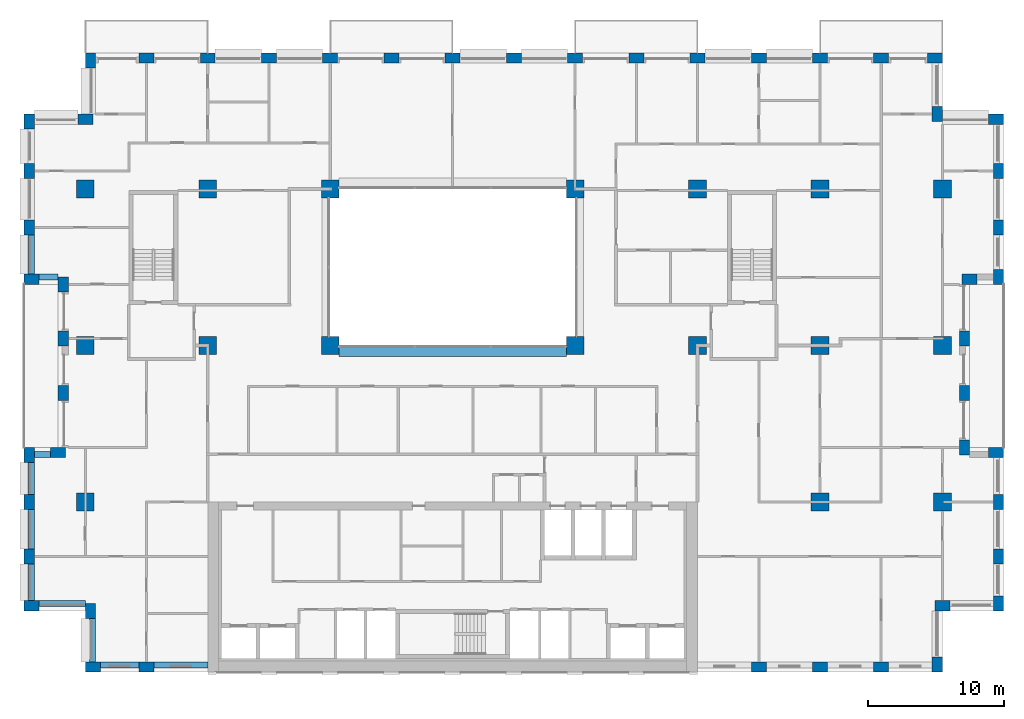
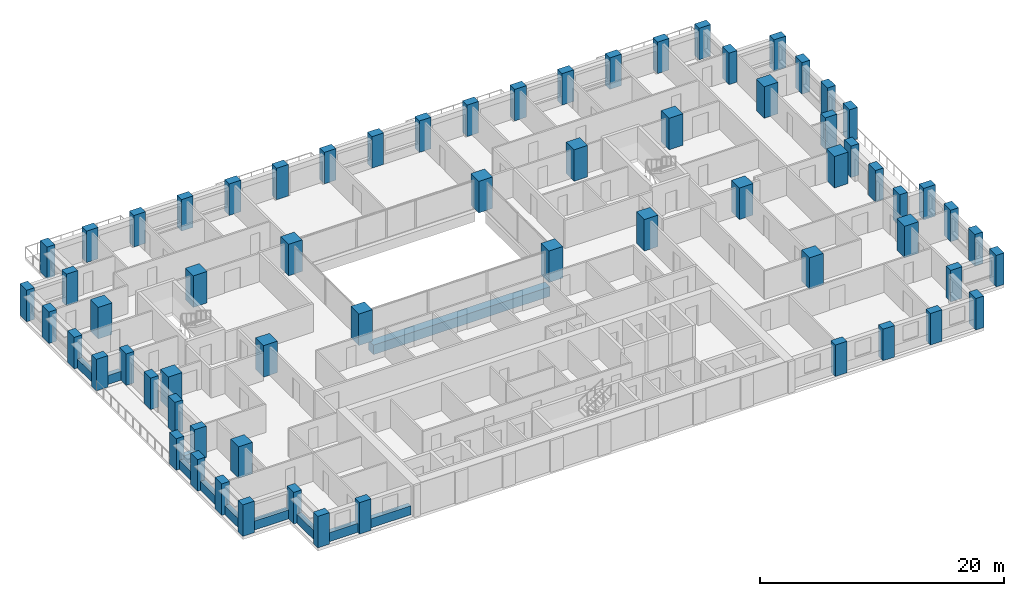
# One storey, part 1 of 16: 66 columns, 11 beams.
"""IFC4 building model written with IfcOpenShell, lengths in metres."""

import ifcopenshell
import ifcopenshell.guid

model = None  # the IFC model being written
_history = None  # IfcOwnerHistory: only IFC2X3 demands one
_inside = {}  # id of a spatial element -> (the spatial element, [elements in it])
_under = {}  # id of a project, library or spatial element -> (it, [spatial elements below it])
_declared = {}  # id of a project -> (the project, [libraries it declares])
_typed = {}  # id of a type object -> (the type object, [elements of that type])
_made_of = {}  # id of a material, layer set ... -> (it, [elements and type objects made of it])


def new_model(schema):
    """Start an empty IFC model of exactly this schema.

    Asked for "IFC4X3", IfcOpenShell would pick the latest addendum, in which some entities
    have other attributes; the version numbers below select the first issue.
    IFC2X3 requires an IfcOwnerHistory on every rooted entity: one is made here for all.
    """
    global model, _history
    if schema == "IFC4X3":
        model = ifcopenshell.file(schema_version=(4, 3, 0, 0))
    else:
        model = ifcopenshell.file(schema=schema)
    _inside.clear()
    _under.clear()
    _declared.clear()
    _typed.clear()
    _made_of.clear()
    _history = None
    if model.schema == "IFC2X3":
        org = make("IfcOrganization", Name="unknown")
        user = make(
            "IfcPersonAndOrganization",
            ThePerson=make("IfcPerson", FamilyName="unknown"),
            TheOrganization=org,
        )
        app = make(
            "IfcApplication",
            ApplicationDeveloper=org,
            Version="unknown",
            ApplicationFullName="unknown",
            ApplicationIdentifier="unknown",
        )
        _history = make(
            "IfcOwnerHistory",
            OwningUser=user,
            OwningApplication=app,
            ChangeAction="ADDED",
            CreationDate=0,
        )
    return model


def make(cls, **values):
    """One entity of the class cls with the attributes given. An attribute that is None is left unset."""
    return model.create_entity(
        cls, **{name: value for name, value in values.items() if value is not None}
    )


def rooted(cls, **values):
    """An entity with a GlobalId (a new one), such as an element, a storey or a relation."""
    return make(cls, GlobalId=ifcopenshell.guid.new(), OwnerHistory=_history, **values)


def si_unit(unit_type, name, prefix=None):
    """IfcSIUnit, for example si_unit("LENGTHUNIT", "METRE", prefix="MILLI")."""
    return make("IfcSIUnit", UnitType=unit_type, Prefix=prefix, Name=name)


def assignment(units):
    """IfcUnitAssignment: the units of a project."""
    return None if units is None else make("IfcUnitAssignment", Units=units)


def point(xyz):
    """IfcCartesianPoint."""
    return None if xyz is None else make("IfcCartesianPoint", Coordinates=xyz)


def direction(xyz):
    """IfcDirection."""
    return None if xyz is None else make("IfcDirection", DirectionRatios=xyz)


def frame(location, z_axis=None, x_axis=None):
    """IfcAxis2Placement3D, a coordinate frame: its origin and axes. An axis left out is left unset."""
    return make(
        "IfcAxis2Placement3D",
        Location=point(location),
        Axis=direction(z_axis),
        RefDirection=direction(x_axis),
    )


def frame_2d(location, x_axis=None):
    """IfcAxis2Placement2D, a coordinate frame in the plane: its origin and x axis."""
    return make(
        "IfcAxis2Placement2D", Location=point(location), RefDirection=direction(x_axis)
    )


def origin():
    """The frame at (0, 0, 0) with its axes left unset."""
    return frame((0.0, 0.0, 0.0))


def origin_2d():
    """The frame at (0, 0) in the plane with its x axis left unset."""
    return frame_2d((0.0, 0.0))


def place(relative_to, where):
    """IfcLocalPlacement: puts the frame where relative to a parent placement (None: the world)."""
    return make(
        "IfcLocalPlacement", PlacementRelTo=relative_to, RelativePlacement=where
    )


def context(
    kind, dimensions, precision=None, world=None, true_north=None, identifier=None
):
    """IfcGeometricRepresentationContext, for example the 3D "Model" context."""
    return make(
        "IfcGeometricRepresentationContext",
        ContextIdentifier=identifier,
        ContextType=kind,
        CoordinateSpaceDimension=dimensions,
        Precision=precision,
        WorldCoordinateSystem=world,
        TrueNorth=true_north,
    )


def subcontext(parent, identifier, kind, view, scale=None):
    """IfcGeometricRepresentationSubContext, for example "Body" below "Model"."""
    return make(
        "IfcGeometricRepresentationSubContext",
        ContextIdentifier=identifier,
        ContextType=kind,
        ParentContext=parent,
        TargetScale=scale,
        TargetView=view,
    )


def project(units=None, contexts=None):
    """IfcProject with its units and contexts."""
    return rooted(
        "IfcProject",
        Name="project",
        RepresentationContexts=contexts,
        UnitsInContext=assignment(units),
    )


def spatial(cls, under=None, at=None, **own):
    """A site, building, storey or space (cls), placed at a placement, below another one or the project."""
    s = rooted(cls, ObjectPlacement=at, **own)
    if under is not None:
        _under.setdefault(under.id(), (under, []))[1].append(s)
    return s


def profile(cls, at=None, kind="AREA", **sizes):
    """A parametric profile (cls). Its sizes go by their IFC names, for example OverallWidth=200.0."""
    return make(cls, ProfileType=kind, Position=at, **sizes)


def rectangle(**sizes):
    """IfcRectangleProfileDef."""
    return profile("IfcRectangleProfileDef", **sizes)


def extrude(swept, where, along, depth):
    """IfcExtrudedAreaSolid: the profile swept, set in the frame where, extruded along a direction by depth."""
    return make(
        "IfcExtrudedAreaSolid",
        SweptArea=swept,
        Position=where,
        ExtrudedDirection=direction(along),
        Depth=depth,
    )


def shape(context_of_items, identifier, shape_type, items):
    """IfcShapeRepresentation: the items that make up one representation, for example the "Body"."""
    return make(
        "IfcShapeRepresentation",
        ContextOfItems=context_of_items,
        RepresentationIdentifier=identifier,
        RepresentationType=shape_type,
        Items=items,
    )


def material(Name=None, Category=None):
    """IfcMaterial."""
    return make("IfcMaterial", Name=Name, Category=Category)


def material_profile(
    of_material, cross_section, Name=None, Category=None, Priority=None
):
    """IfcMaterialProfile: a cross section and its material."""
    return make(
        "IfcMaterialProfile",
        Name=Name,
        Material=of_material,
        Profile=cross_section,
        Priority=Priority,
        Category=Category,
    )


def profile_set(profiles, Name=None, composite=None):
    """IfcMaterialProfileSet."""
    return make(
        "IfcMaterialProfileSet",
        Name=Name,
        MaterialProfiles=profiles,
        CompositeProfile=composite,
    )


def made_of(thing, what):
    """Note that an element or type object is made of a material, layer set ...; save() writes the relation."""
    if what is not None:
        _made_of.setdefault(what.id(), (what, []))[1].append(thing)
    return thing


def type_object(cls, material=None, **own):
    """A type object (cls), such as IfcWallType, which elements share."""
    return made_of(rooted(cls, **own), material)


def element(
    cls,
    number,
    at=None,
    inside=None,
    cuts=None,
    type_object=None,
    material=None,
    context=None,
    identifier="Body",
    shape_type=None,
    held_by="IfcProductDefinitionShape",
    body=None,
    shapes=None,
    **own,
):
    """One element of the class cls, such as IfcWall. Its Tag is "e" and its number.

    at: its placement. inside: the storey or other place that contains it. cuts: it is an
    opening in that element (IfcRelVoidsElement). A single representation is given by context,
    identifier, shape_type and body (its items); several are given by shapes. held_by: the class
    of the entity that holds the representations. save() writes the other relations.
    """
    e = rooted(cls, Tag="e%d" % number, ObjectPlacement=at, **own)
    if body is not None:
        shapes = [shape(context, identifier, shape_type, body)]
    if shapes is not None:
        e.Representation = make(held_by, Representations=shapes)
    if inside is not None:
        _inside.setdefault(inside.id(), (inside, []))[1].append(e)
    if cuts is not None:
        rooted(
            "IfcRelVoidsElement", RelatingBuildingElement=cuts, RelatedOpeningElement=e
        )
    if type_object is not None:
        _typed.setdefault(type_object.id(), (type_object, []))[1].append(e)
    return made_of(e, material)


def aggregate(whole, parts):
    """IfcRelAggregates: a whole, such as a stair, and the parts it consists of."""
    return rooted("IfcRelAggregates", RelatingObject=whole, RelatedObjects=parts)


def save(model, path):
    """Write the relations noted so far, then the file.

    IfcRelAggregates (storeys below a building ...), IfcRelContainedInSpatialStructure (elements
    in a storey), IfcRelDefinesByType, IfcRelAssociatesMaterial and IfcRelDeclares: one each for
    every whole, place, type object, material and project.
    """
    for whole, parts in _under.values():
        aggregate(whole, parts)
    for where, things in _inside.values():
        rooted(
            "IfcRelContainedInSpatialStructure",
            RelatedElements=things,
            RelatingStructure=where,
        )
    for kind, things in _typed.values():
        rooted("IfcRelDefinesByType", RelatedObjects=things, RelatingType=kind)
    for what, things in _made_of.values():
        rooted("IfcRelAssociatesMaterial", RelatedObjects=things, RelatingMaterial=what)
    for by, libraries in _declared.values():
        rooted("IfcRelDeclares", RelatingContext=by, RelatedDefinitions=libraries)
    model.write(path)


model = new_model("IFC4")

# Units and contexts
model_context = context("Model", 3, precision=1e-05, world=origin(), true_north=direction((0.0, 1.0)))
body_context = subcontext(model_context, "Body", "Model", "MODEL_VIEW")
ifc_project = project(units=[si_unit("LENGTHUNIT", "METRE"), si_unit("AREAUNIT", "SQUARE_METRE"), si_unit("VOLUMEUNIT", "CUBIC_METRE"), si_unit("PLANEANGLEUNIT", "RADIAN"), si_unit("MASSUNIT", "GRAM", prefix="KILO")], contexts=[model_context])

# Site, building, storey
site_placement = place(None, origin())
site = spatial("IfcSite", under=ifc_project, at=site_placement, CompositionType="ELEMENT")
building_placement = place(site_placement, origin())
building = spatial("IfcBuilding", under=site, at=building_placement, Name="Brigalow Station Residences", CompositionType="ELEMENT")
storey_placement = place(building_placement, frame((0.0, 0.0, 86.699951171875)))
storey = spatial("IfcBuildingStorey", under=building, at=storey_placement, Name="L24", CompositionType="ELEMENT", Elevation=86.699951171875)

# Columns
ifc_material_1 = material(Name="Concrete C65", Category="concrete")
ifc_material_profile_1 = material_profile(ifc_material_1, rectangle(XDim=1.300048828125, YDim=1.300048828125, at=origin_2d()), Name="RC1300x1300")
ifc_profile_set_1 = profile_set([ifc_material_profile_1], Name="Concrete C65")
column_type_1 = type_object("IfcColumnType", Name="COLUMN 1300x1300 C65", PredefinedType="COLUMN", material=ifc_profile_set_1)
for number, where, z_axis, x_axis, name in (
    (1, (9.0, 24.0, 0.0), (0.0, 0.0, 1.0), (1.0, 0.0, 0.0), "COLUMN C1 L24"),
    (2, (18.0, 24.0, 0.0), (0.0, 0.0, 1.0), (1.0, 0.0, 0.0), "COLUMN C2 L24"),
    (3, (27.0, 24.0, 0.0), (0.0, 0.0, 1.0), (1.0, 0.0, 0.0), "COLUMN C3 L24"),
    (4, (45.0, 24.0, 0.0), (0.0, 0.0, 1.0), (1.0, 0.0, 0.0), "COLUMN C5 L24"),
    (5, (54.0, 24.0, 0.0), (0.0, 0.0, 1.0), (1.0, 0.0, 0.0), "COLUMN C6 L24"),
    (6, (63.0, 24.0, 0.0), (0.0, 0.0, 1.0), (1.0, 0.0, 0.0), "COLUMN C7 L24"),
    (7, (72.0, 24.0, 0.0), (0.0, 0.0, 1.0), (1.0, 0.0, 0.0), "COLUMN C8 L24"),
    (8, (9.0, 35.5, 0.0), (0.0, 0.0, 1.0), (1.0, 0.0, 0.0), "COLUMN D1 L24"),
    (9, (18.0, 35.5, 0.0), (0.0, 0.0, 1.0), (1.0, 0.0, 0.0), "COLUMN D2 L24"),
    (10, (27.0, 35.5, 0.0), (0.0, 0.0, 1.0), (1.0, 0.0, 0.0), "COLUMN D3 L24"),
    (11, (45.0, 35.5, 0.0), (0.0, 0.0, 1.0), (1.0, 0.0, 0.0), "COLUMN D5 L24"),
    (12, (54.0, 35.5, 0.0), (0.0, 0.0, 1.0), (1.0, 0.0, 0.0), "COLUMN D6 L24"),
    (13, (63.0, 35.5, 0.0), (0.0, 0.0, 1.0), (1.0, 0.0, 0.0), "COLUMN D7 L24"),
    (14, (72.0, 35.5, 0.0), (0.0, 0.0, 1.0), (1.0, 0.0, 0.0), "COLUMN D8 L24"),
    (15, (9.0, 12.5, 0.0), (0.0, 0.0, 1.0), (1.0, 0.0, 0.0), "COLUMN B1 L24"),
    (16, (63.0, 12.5, 0.0), (0.0, 0.0, 1.0), (1.0, 0.0, 0.0), "COLUMN B7 L24"),
    (17, (72.0, 12.5, 0.0), (0.0, 0.0, 1.0), (1.0, 0.0, 0.0), "COLUMN B8 L24"),
):
    element("IfcColumn", number, at=place(storey_placement, frame(where, z_axis=z_axis, x_axis=x_axis)), inside=storey, type_object=column_type_1, Name=name, PredefinedType="COLUMN", context=body_context, shape_type="SweptSolid", body=[
        extrude(rectangle(XDim=1.300048828125, YDim=1.300048828125, at=origin_2d()), origin(), (0.0, 0.0, 1.0), 3.150146484375),
    ])
ifc_material_2 = material(Name="Concrete C65", Category="concrete")
ifc_material_profile_2 = material_profile(ifc_material_2, rectangle(XDim=1.10009765625, YDim=0.75, at=origin_2d()), Name="RC1100x750")
ifc_profile_set_2 = profile_set([ifc_material_profile_2], Name="Concrete C65")
column_type_2 = type_object("IfcColumnType", Name="PIER 1100x750 C65", PredefinedType="USERDEFINED", material=ifc_profile_set_2)
for number, where, z_axis, x_axis, name in (
    (18, (9.550048828125, 0.375, 0.0), (0.0, 0.0, 1.0), (1.0, 0.0, 0.0), "PIER S-1 L24"),
    (19, (13.5, 0.375, 0.0), (0.0, 0.0, 1.0), (1.0, 0.0, 0.0), "PIER S-2 L24"),
    (20, (58.5, 0.375, 0.0), (0.0, 0.0, 1.0), (1.0, 0.0, 0.0), "PIER S-12 L24"),
    (21, (63.0, 0.375, 0.0), (0.0, 0.0, 1.0), (1.0, 0.0, 0.0), "PIER S-13 L24"),
    (22, (67.5, 0.375, 0.0), (0.0, 0.0, 1.0), (1.0, 0.0, 0.0), "PIER S-14 L24"),
    (23, (71.625, 0.550048828125, 0.0), (0.0, 0.0, 1.0), (0.0, 1.0, 0.0), "PIER SE1-1 L24"),
    (24, (72.0, 4.875, 0.0), (0.0, 0.0, 1.0), (1.0, 0.0, 0.0), "PIER SE2-1 L24"),
    (25, (76.125, 5.050048828125, 0.0), (0.0, 0.0, 1.0), (0.0, 1.0, 0.0), "PIER E1-1 L24"),
    (26, (76.125, 8.5, 0.0), (0.0, 0.0, 1.0), (0.0, 1.0, 0.0), "PIER E1-2 L24"),
    (27, (76.125, 12.5, 0.0), (0.0, 0.0, 1.0), (0.0, 1.0, 0.0), "PIER E1-3 L24"),
    (28, (75.949951171875, 16.125, 0.0), (0.0, 0.0, 1.0), (-1.0, 0.0, 0.0), "PIER EL1-1 L24"),
    (29, (73.625, 16.5, 0.0), (0.0, 0.0, 1.0), (0.0, 1.0, 0.0), "PIER EL2-1 L24"),
    (30, (73.625, 20.5, 0.0), (0.0, 0.0, 1.0), (0.0, 1.0, 0.0), "PIER EL2-2 L24"),
    (31, (73.625, 24.5, 0.0), (0.0, 0.0, 1.0), (0.0, 1.0, 0.0), "PIER EL2-3 L24"),
    (32, (74.0, 28.875, 0.0), (0.0, 0.0, 1.0), (1.0, 0.0, 0.0), "PIER EL3-1 L24"),
    (33, (76.125, 29.050048828125, 0.0), (0.0, 0.0, 1.0), (0.0, 1.0, 0.0), "PIER E2-1 L24"),
    (34, (76.125, 32.6669921875, 0.0), (0.0, 0.0, 1.0), (0.0, 1.0, 0.0), "PIER E2-2 L24"),
    (35, (76.125, 36.8330078125, 0.0), (0.0, 0.0, 1.0), (0.0, 1.0, 0.0), "PIER E2-3 L24"),
    (36, (75.949951171875, 40.625, 0.0), (0.0, 0.0, 1.0), (-1.0, 0.0, 0.0), "PIER NE1-1 L24"),
    (37, (71.625, 41.0, 0.0), (0.0, 0.0, 1.0), (0.0, 1.0, 0.0), "PIER NE2-1 L24"),
    (38, (71.449951171875, 45.125, 0.0), (0.0, 0.0, 1.0), (-1.0, 0.0, 0.0), "PIER N-1 L24"),
    (39, (67.5, 45.125, 0.0), (0.0, 0.0, 1.0), (-1.0, 0.0, 0.0), "PIER N-2 L24"),
    (40, (63.0, 45.125, 0.0), (0.0, 0.0, 1.0), (-1.0, 0.0, 0.0), "PIER N-3 L24"),
    (41, (58.5, 45.125, 0.0), (0.0, 0.0, 1.0), (-1.0, 0.0, 0.0), "PIER N-4 L24"),
    (42, (54.0, 45.125, 0.0), (0.0, 0.0, 1.0), (-1.0, 0.0, 0.0), "PIER N-5 L24"),
    (43, (49.5, 45.125, 0.0), (0.0, 0.0, 1.0), (-1.0, 0.0, 0.0), "PIER N-6 L24"),
    (44, (45.0, 45.125, 0.0), (0.0, 0.0, 1.0), (-1.0, 0.0, 0.0), "PIER N-7 L24"),
    (45, (40.5, 45.125, 0.0), (0.0, 0.0, 1.0), (-1.0, 0.0, 0.0), "PIER N-8 L24"),
    (46, (36.0, 45.125, 0.0), (0.0, 0.0, 1.0), (-1.0, 0.0, 0.0), "PIER N-9 L24"),
    (47, (31.5, 45.125, 0.0), (0.0, 0.0, 1.0), (-1.0, 0.0, 0.0), "PIER N-10 L24"),
    (48, (27.0, 45.125, 0.0), (0.0, 0.0, 1.0), (-1.0, 0.0, 0.0), "PIER N-11 L24"),
    (49, (22.5, 45.125, 0.0), (0.0, 0.0, 1.0), (-1.0, 0.0, 0.0), "PIER N-12 L24"),
    (50, (18.0, 45.125, 0.0), (0.0, 0.0, 1.0), (-1.0, 0.0, 0.0), "PIER N-13 L24"),
    (51, (13.5, 45.125, 0.0), (0.0, 0.0, 1.0), (-1.0, 0.0, 0.0), "PIER N-14 L24"),
    (52, (9.375, 44.949951171875, 0.0), (0.0, 0.0, 1.0), (0.0, -1.0, 0.0), "PIER NW1-1 L24"),
    (53, (9.0, 40.625, 0.0), (0.0, 0.0, 1.0), (-1.0, 0.0, 0.0), "PIER NW2-1 L24"),
    (54, (4.875, 40.449951171875, 0.0), (0.0, 0.0, 1.0), (0.0, -1.0, 0.0), "PIER W2-1 L24"),
    (55, (4.875, 36.8330078125, 0.0), (0.0, 0.0, 1.0), (0.0, -1.0, 0.0), "PIER W2-2 L24"),
    (56, (4.875, 32.6669921875, 0.0), (0.0, 0.0, 1.0), (0.0, -1.0, 0.0), "PIER W2-3 L24"),
    (57, (5.050048828125, 28.875, 0.0), (0.0, 0.0, 1.0), (1.0, 0.0, 0.0), "PIER WL1-1 L24"),
    (58, (7.375, 28.5, 0.0), (0.0, 0.0, 1.0), (0.0, -1.0, 0.0), "PIER WL2-1 L24"),
    (59, (7.375, 24.5, 0.0), (0.0, 0.0, 1.0), (0.0, -1.0, 0.0), "PIER WL2-2 L24"),
    (60, (7.375, 20.5, 0.0), (0.0, 0.0, 1.0), (0.0, -1.0, 0.0), "PIER WL2-3 L24"),
    (61, (7.0, 16.125, 0.0), (0.0, 0.0, 1.0), (-1.0, 0.0, 0.0), "PIER WL3-1 L24"),
    (62, (4.875, 15.949951171875, 0.0), (0.0, 0.0, 1.0), (0.0, -1.0, 0.0), "PIER W1-1 L24"),
    (63, (4.875, 12.5, 0.0), (0.0, 0.0, 1.0), (0.0, -1.0, 0.0), "PIER W1-2 L24"),
    (64, (4.875, 8.5, 0.0), (0.0, 0.0, 1.0), (0.0, -1.0, 0.0), "PIER W1-3 L24"),
    (65, (5.050048828125, 4.875, 0.0), (0.0, 0.0, 1.0), (1.0, 0.0, 0.0), "PIER SW1-1 L24"),
    (66, (9.375, 4.5, 0.0), (0.0, 0.0, 1.0), (0.0, -1.0, 0.0), "PIER SW2-1 L24"),
):
    element("IfcColumn", number, at=place(storey_placement, frame(where, z_axis=z_axis, x_axis=x_axis)), inside=storey, type_object=column_type_2, Name=name, ObjectType="PIER", PredefinedType="USERDEFINED", context=body_context, shape_type="SweptSolid", body=[
        extrude(rectangle(XDim=1.10009765625, YDim=0.75, at=origin_2d()), origin(), (0.0, 0.0, 1.0), 3.150146484375),
    ])

# Beams
ifc_material_3 = material(Name="Concrete C65", Category="concrete")
ifc_material_profile_3 = material_profile(ifc_material_3, rectangle(XDim=0.800048828125, YDim=0.949951171875, at=origin_2d()), Name="RC800x950")
ifc_profile_set_3 = profile_set([ifc_material_profile_3], Name="Concrete C65")
beam_type_1 = type_object("IfcBeamType", Name="ATRIUM EDGE GIRDER OVER 13.5 M SPAN 800x950 C65", PredefinedType="BEAM", material=ifc_profile_set_3)
beam_1_placement = place(storey_placement, frame((27.64990234375, 23.60009765625, -0.794921875), z_axis=(1.0, 0.0, 0.0), x_axis=(0.0, 1.0, 0.0)))
element("IfcBeam", 67, at=beam_1_placement, inside=storey, type_object=beam_type_1, Name="ATRIUM EDGE GIRDER C L24", PredefinedType="BEAM", context=body_context, shape_type="SweptSolid", body=[
    extrude(rectangle(XDim=0.800048828125, YDim=0.949951171875, at=origin_2d()), origin(), (0.0, 0.0, 1.0), 16.7001953125),
])
ifc_material_4 = material(Name="Concrete C65", Category="concrete")
ifc_material_profile_4 = material_profile(ifc_material_4, rectangle(XDim=0.449951171875, YDim=0.89990234375, at=origin_2d()), Name="RC450x900")
ifc_profile_set_4 = profile_set([ifc_material_profile_4], Name="Concrete C65")
beam_type_2 = type_object("IfcBeamType", Name="SPANDREL BEAM 450x900 C65", PredefinedType="SPANDREL", material=ifc_profile_set_4)
beam_2_placement = place(storey_placement, frame((10.10009765625, 0.52490234375, 0.449951171875), z_axis=(1.0, 0.0, 0.0), x_axis=(0.0, 1.0, 0.0)))
element("IfcBeam", 68, at=beam_2_placement, inside=storey, type_object=beam_type_2, Name="L24/spandrel/W-L24-1", PredefinedType="SPANDREL", context=body_context, shape_type="SweptSolid", body=[
    extrude(rectangle(XDim=0.449951171875, YDim=0.89990234375, at=origin_2d()), origin(), (0.0, 0.0, 1.0), 2.849853515625),
])
beam_3_placement = place(storey_placement, frame((14.050048828125, 0.52490234375, 0.449951171875), z_axis=(1.0, 0.0, 0.0), x_axis=(0.0, 1.0, 0.0)))
element("IfcBeam", 69, at=beam_3_placement, inside=storey, type_object=beam_type_2, Name="L24/spandrel/W-L24-2", PredefinedType="SPANDREL", context=body_context, shape_type="SweptSolid", body=[
    extrude(rectangle(XDim=0.449951171875, YDim=0.89990234375, at=origin_2d()), origin(), (0.0, 0.0, 1.0), 3.949951171875),
])
beam_4_placement = place(storey_placement, frame((5.02490234375, 32.116943359375, 0.449951171875), z_axis=(0.0, -1.0, 0.0), x_axis=(1.0, 0.0, 0.0)))
element("IfcBeam", 70, at=beam_4_placement, inside=storey, type_object=beam_type_2, Name="L24/spandrel/W-L24-41", PredefinedType="SPANDREL", context=body_context, shape_type="SweptSolid", body=[
    extrude(rectangle(XDim=0.449951171875, YDim=0.89990234375, at=origin_2d()), origin(), (0.0, 0.0, 1.0), 2.866943359375),
])
beam_5_placement = place(storey_placement, frame((5.60009765625, 29.02490234375, 0.449951171875), z_axis=(1.0, 0.0, 0.0), x_axis=(0.0, 1.0, 0.0)))
element("IfcBeam", 71, at=beam_5_placement, inside=storey, type_object=beam_type_2, Name="L24/spandrel/W-L24-42", PredefinedType="SPANDREL", context=body_context, shape_type="SweptSolid", body=[
    extrude(rectangle(XDim=0.449951171875, YDim=0.89990234375, at=origin_2d()), origin(), (0.0, 0.0, 1.0), 1.39990234375),
])
beam_6_placement = place(storey_placement, frame((6.449951171875, 15.97509765625, 0.449951171875), z_axis=(-1.0, 0.0, 0.0), x_axis=(0.0, -1.0, 0.0)))
element("IfcBeam", 72, at=beam_6_placement, inside=storey, type_object=beam_type_2, Name="L24/spandrel/W-L24-46", PredefinedType="SPANDREL", context=body_context, shape_type="SweptSolid", body=[
    extrude(rectangle(XDim=0.449951171875, YDim=0.89990234375, at=origin_2d()), origin(), (0.0, 0.0, 1.0), 1.199951171875),
])
beam_7_placement = place(storey_placement, frame((5.02490234375, 15.39990234375, 0.449951171875), z_axis=(0.0, -1.0, 0.0), x_axis=(1.0, 0.0, 0.0)))
element("IfcBeam", 73, at=beam_7_placement, inside=storey, type_object=beam_type_2, Name="L24/spandrel/W-L24-47", PredefinedType="SPANDREL", context=body_context, shape_type="SweptSolid", body=[
    extrude(rectangle(XDim=0.449951171875, YDim=0.89990234375, at=origin_2d()), origin(), (0.0, 0.0, 1.0), 2.349853515625),
])
beam_8_placement = place(storey_placement, frame((5.02490234375, 11.949951171875, 0.449951171875), z_axis=(0.0, -1.0, 0.0), x_axis=(1.0, 0.0, 0.0)))
element("IfcBeam", 74, at=beam_8_placement, inside=storey, type_object=beam_type_2, Name="L24/spandrel/W-L24-48", PredefinedType="SPANDREL", context=body_context, shape_type="SweptSolid", body=[
    extrude(rectangle(XDim=0.449951171875, YDim=0.89990234375, at=origin_2d()), origin(), (0.0, 0.0, 1.0), 2.89990234375),
])
beam_9_placement = place(storey_placement, frame((5.02490234375, 7.949951171875, 0.449951171875), z_axis=(0.0, -1.0, 0.0), x_axis=(1.0, 0.0, 0.0)))
element("IfcBeam", 75, at=beam_9_placement, inside=storey, type_object=beam_type_2, Name="L24/spandrel/W-L24-49", PredefinedType="SPANDREL", context=body_context, shape_type="SweptSolid", body=[
    extrude(rectangle(XDim=0.449951171875, YDim=0.89990234375, at=origin_2d()), origin(), (0.0, 0.0, 1.0), 2.699951171875),
])
beam_10_placement = place(storey_placement, frame((5.60009765625, 5.02490234375, 0.449951171875), z_axis=(1.0, 0.0, 0.0), x_axis=(0.0, 1.0, 0.0)))
element("IfcBeam", 76, at=beam_10_placement, inside=storey, type_object=beam_type_2, Name="L24/spandrel/W-L24-50", PredefinedType="SPANDREL", context=body_context, shape_type="SweptSolid", body=[
    extrude(rectangle(XDim=0.449951171875, YDim=0.89990234375, at=origin_2d()), origin(), (0.0, 0.0, 1.0), 3.39990234375),
])
beam_11_placement = place(storey_placement, frame((9.52490234375, 3.949951171875, 0.449951171875), z_axis=(0.0, -1.0, 0.0), x_axis=(1.0, 0.0, 0.0)))
element("IfcBeam", 77, at=beam_11_placement, inside=storey, type_object=beam_type_2, Name="L24/spandrel/W-L24-51", PredefinedType="SPANDREL", context=body_context, shape_type="SweptSolid", body=[
    extrude(rectangle(XDim=0.449951171875, YDim=0.89990234375, at=origin_2d()), origin(), (0.0, 0.0, 1.0), 3.199951171875),
])

save(model, "model.ifc")
